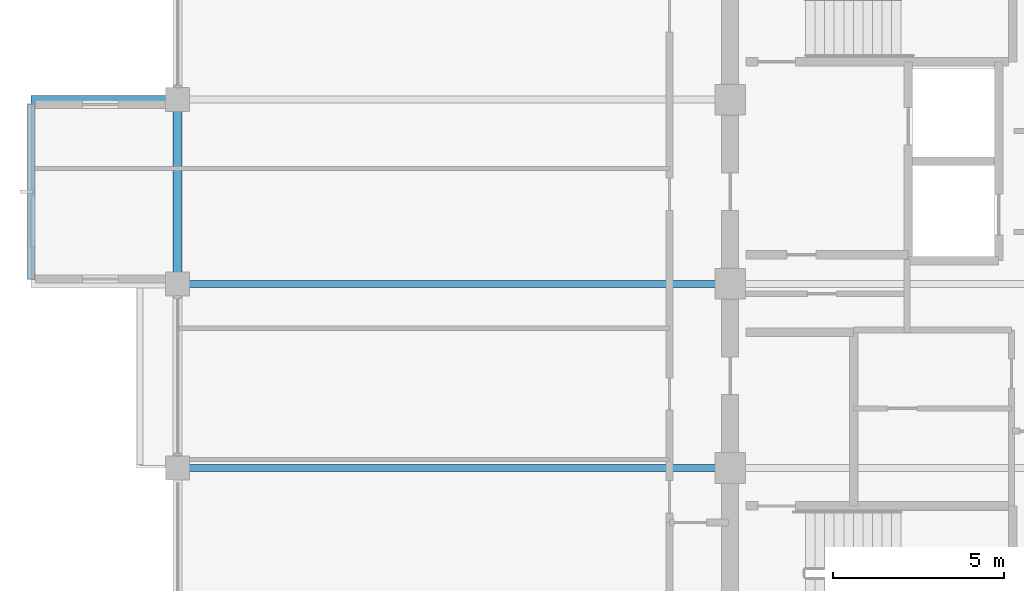
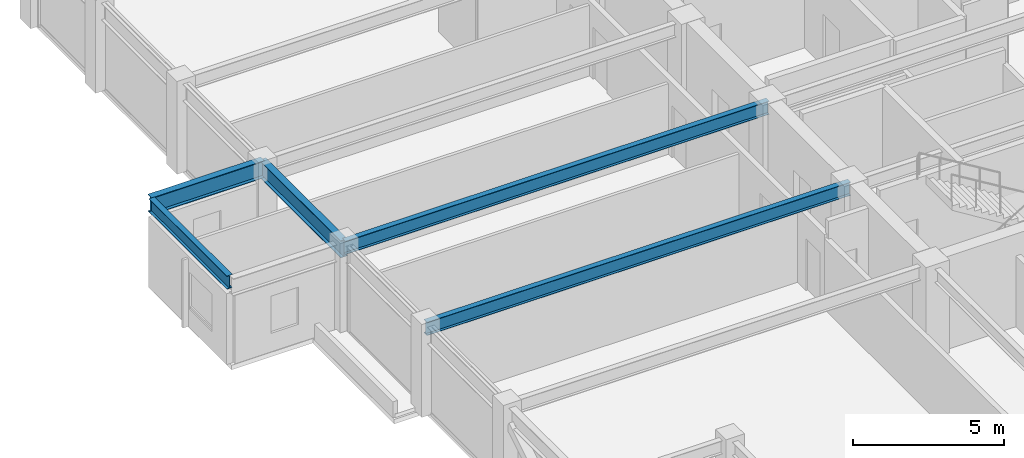
# One storey, part 6 of 31: 5 beams.
"""IFC4 building model written with IfcOpenShell, lengths in metres."""

from ifc_helpers import new_model, si_unit, direction, frame, origin, origin_2d, place, context, subcontext, project, spatial, i_section, extrude, material, material_profile, profile_set, type_object, element, save


model = new_model("IFC4")

# Units and contexts
model_context = context("Model", 3, precision=1e-05, world=origin(), true_north=direction((0.0, 1.0)))
body_context = subcontext(model_context, "Body", "Model", "MODEL_VIEW")
ifc_project = project(units=[si_unit("LENGTHUNIT", "METRE"), si_unit("AREAUNIT", "SQUARE_METRE"), si_unit("VOLUMEUNIT", "CUBIC_METRE"), si_unit("PLANEANGLEUNIT", "RADIAN"), si_unit("MASSUNIT", "GRAM", prefix="KILO")], contexts=[model_context])

# Site, building, storey
site_placement = place(None, origin())
site = spatial("IfcSite", under=ifc_project, at=site_placement, CompositionType="ELEMENT")
building_placement = place(site_placement, origin())
building = spatial("IfcBuilding", under=site, at=building_placement, Name="Surkhivell Harbour Commons", CompositionType="ELEMENT")
storey_placement = place(building_placement, frame((0.0, 0.0, 315.0)))
storey = spatial("IfcBuildingStorey", under=building, at=storey_placement, Name="L82", CompositionType="ELEMENT", Elevation=315.0)

# Beams
ifc_material_1 = material(Name="Steel S460", Category="steel")
ifc_material_profile_1 = material_profile(ifc_material_1, i_section(OverallWidth=0.256103515625, OverallDepth=0.693115234375, WebThickness=0.014404296875, FlangeThickness=0.023681640625, at=origin_2d()), Name="UB686x254x170")
ifc_profile_set_1 = profile_set([ifc_material_profile_1], Name="Steel S460")
beam_type_1 = type_object("IfcBeamType", Name="BM-CNT-686", PredefinedType="BEAM", material=ifc_profile_set_1)
beam_1_placement = place(storey_placement, frame((-27.0, 5.39990234375, 3.223388671875), z_axis=(-1.0, 0.0, 0.0), x_axis=(0.0, -1.0, 0.0)))
element("IfcBeam", 1, at=beam_1_placement, inside=storey, type_object=beam_type_1, Name="L82 Box Cantilever Outrigger (-27.0,5.4)", PredefinedType="BEAM", context=body_context, shape_type="SweptSolid", body=[
    extrude(i_section(OverallWidth=0.256103515625, OverallDepth=0.693115234375, WebThickness=0.014404296875, FlangeThickness=0.023681640625, at=origin_2d()), origin(), (0.0, 0.0, 1.0), 4.300048828125),
])
ifc_material_2 = material(Name="Steel S355", Category="steel")
ifc_material_profile_2 = material_profile(ifc_material_2, i_section(OverallWidth=0.2099609375, OverallDepth=0.537109375, WebThickness=0.0107421875, FlangeThickness=0.017333984375, at=origin_2d()), Name="UB533x210x101")
ifc_profile_set_2 = profile_set([ifc_material_profile_2], Name="Steel S355")
beam_type_2 = type_object("IfcBeamType", Name="BM-GRD-533B", PredefinedType="BEAM", material=ifc_profile_set_2)
for number, where, z_axis, x_axis, name in (
    (2, (-27.0, 0.0, 3.301513671875), (1.0, 0.0, 0.0), (0.0, 1.0, 0.0), "L82 Cantilever Back-Span Girder (-27.0,0.0)"),
    (3, (-27.0, -5.39990234375, 3.301513671875), (1.0, 0.0, 0.0), (0.0, 1.0, 0.0), "L82 Floor Girder (-27.0,-5.4)"),
):
    element("IfcBeam", number, at=place(storey_placement, frame(where, z_axis=z_axis, x_axis=x_axis)), inside=storey, type_object=beam_type_2, Name=name, PredefinedType="BEAM", context=body_context, shape_type="SweptSolid", body=[
        extrude(i_section(OverallWidth=0.2099609375, OverallDepth=0.537109375, WebThickness=0.0107421875, FlangeThickness=0.017333984375, at=origin_2d()), origin(), (0.0, 0.0, 1.0), 16.199951171875),
    ])
beam_2_placement = place(storey_placement, frame((-31.300048828125, 0.1220703125, 3.301513671875), z_axis=(0.0, 1.0, 0.0), x_axis=(-1.0, 0.0, 0.0)))
element("IfcBeam", 4, at=beam_2_placement, inside=storey, type_object=beam_type_2, Name="L82 Box Rim Spandrel (-31.3,0.0)", PredefinedType="BEAM", context=body_context, shape_type="SweptSolid", body=[
    extrude(i_section(OverallWidth=0.2099609375, OverallDepth=0.537109375, WebThickness=0.0107421875, FlangeThickness=0.017333984375, at=origin_2d()), origin(), (0.0, 0.0, 1.0), 5.156005859375),
])
ifc_material_profile_3 = material_profile(ifc_material_2, i_section(OverallWidth=0.256103515625, OverallDepth=0.693115234375, WebThickness=0.014404296875, FlangeThickness=0.023681640625, at=origin_2d()), Name="UB686x254x170")
ifc_profile_set_3 = profile_set([ifc_material_profile_3], Name="Steel S355")
beam_type_3 = type_object("IfcBeamType", Name="BM-SPN-686", PredefinedType="SPANDREL", material=ifc_profile_set_3)
beam_3_placement = place(storey_placement, frame((-27.0, 0.0, 3.223388671875), z_axis=(0.0, 1.0, 0.0), x_axis=(-1.0, 0.0, 0.0)))
element("IfcBeam", 5, at=beam_3_placement, inside=storey, type_object=beam_type_3, Name="L82 Tube Spandrel (-27.0,0.0)", PredefinedType="SPANDREL", context=body_context, shape_type="SweptSolid", body=[
    extrude(i_section(OverallWidth=0.256103515625, OverallDepth=0.693115234375, WebThickness=0.014404296875, FlangeThickness=0.023681640625, at=origin_2d()), origin(), (0.0, 0.0, 1.0), 5.39990234375),
])

save(model, "model.ifc")
